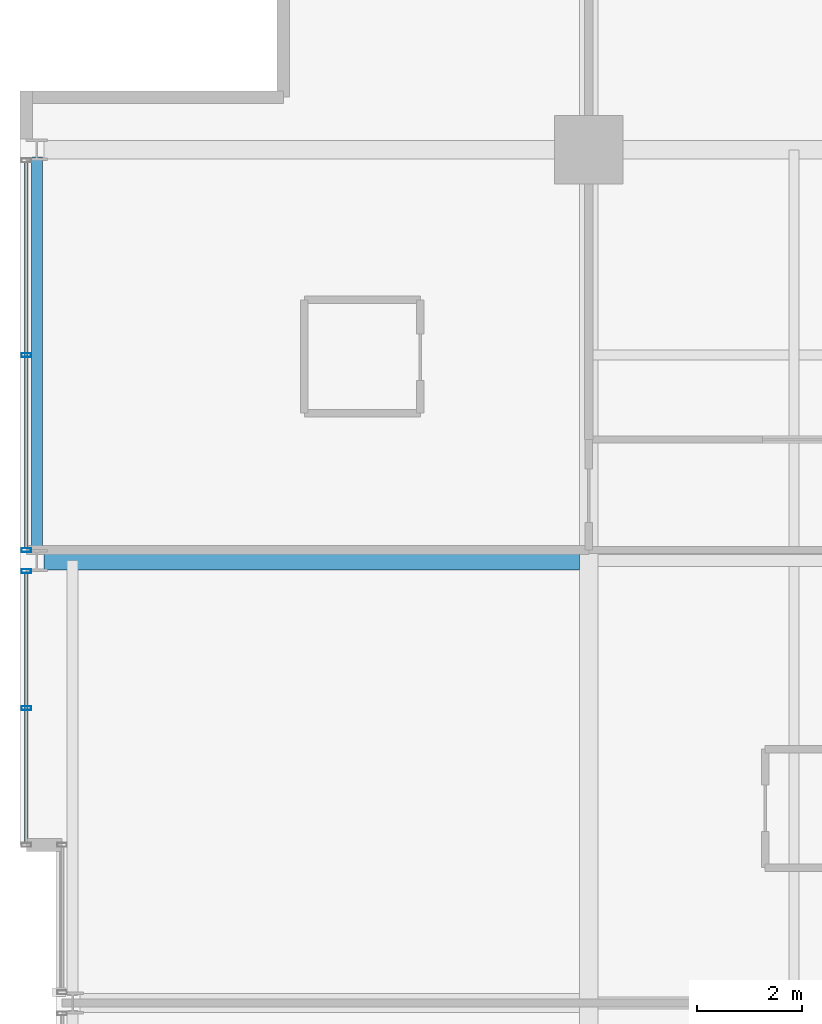
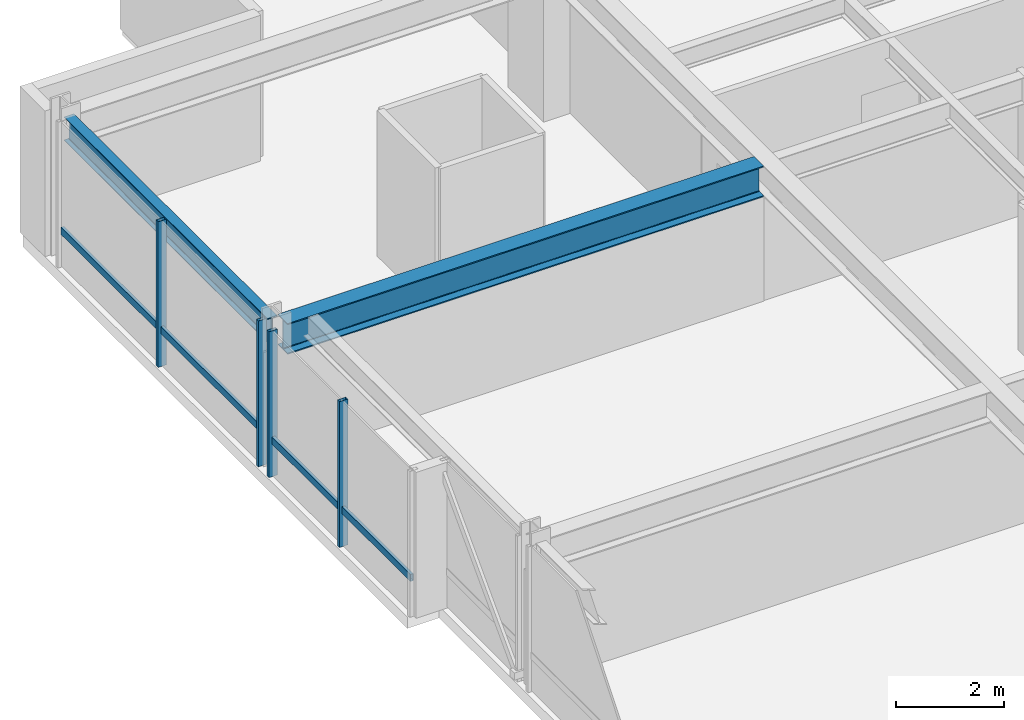
# One storey, part 17 of 34: 6 members, 2 beams, 2 elements without a shape of their own.
"""IFC4 building model written with IfcOpenShell, lengths in metres."""

from ifc_helpers import new_model, si_unit, direction, frame, origin, origin_2d, place, context, subcontext, project, spatial, hollow_rectangle, i_section, extrude, material, layer, layer_set, material_profile, profile_set, type_object, element, aggregate, save


model = new_model("IFC4")

# Units and contexts
model_context = context("Model", 3, precision=1e-05, world=origin(), true_north=direction((0.0, 1.0)))
body_context = subcontext(model_context, "Body", "Model", "MODEL_VIEW")
ifc_project = project(units=[si_unit("LENGTHUNIT", "METRE"), si_unit("AREAUNIT", "SQUARE_METRE"), si_unit("VOLUMEUNIT", "CUBIC_METRE"), si_unit("PLANEANGLEUNIT", "RADIAN"), si_unit("MASSUNIT", "GRAM", prefix="KILO")], contexts=[model_context])

# Site, building, storey
site_placement = place(None, origin())
site = spatial("IfcSite", under=ifc_project, at=site_placement, CompositionType="ELEMENT")
building_placement = place(site_placement, origin())
building = spatial("IfcBuilding", under=site, at=building_placement, Name="Drelvath Grand Hotel", CompositionType="ELEMENT")
storey_placement = place(building_placement, frame((0.0, 0.0, 175.25)))
storey = spatial("IfcBuildingStorey", under=building, at=storey_placement, Name="L45", CompositionType="ELEMENT", Elevation=175.25)

# Curtain wall, member
ifc_material_1 = material(Name="Brushed Pale-Silver Anodised Aluminium Frame", Category="aluminium")
ifc_layer = layer(ifc_material_1, 0.199951171875)
ifc_layer_set = layer_set([ifc_layer], Name="Brushed Pale-Silver Anodised Aluminium Frame")
curtain_wall_type = type_object("IfcCurtainWallType", Name="Stick Curtain Wall CW-04 Brushed Silver Upper-Mid", PredefinedType="NOTDEFINED", material=ifc_layer_set)
curtain_wall_1_placement = place(storey_placement, origin())
curtain_wall_1 = element("IfcCurtainWall", 1, at=curtain_wall_1_placement, inside=storey, type_object=curtain_wall_type, Name="L45 CW-04 Curtain Wall CW04-L45-WN1", PredefinedType="NOTDEFINED")
ifc_material_profile_1 = material_profile(ifc_material_1, hollow_rectangle(XDim=0.06494140625, YDim=0.159912109375, WallThickness=0.00390625, at=origin_2d()), Name="HSS160X65X4")
ifc_profile_set_1 = profile_set([ifc_material_profile_1], Name="Brushed Pale-Silver Anodised Aluminium Frame")
member_type_1 = type_object("IfcMemberType", Name="Curtain Wall Horizontal Transom CW-04 HSS160X65X4", PredefinedType="USERDEFINED", material=ifc_profile_set_1)
member_1_placement = place(storey_placement, frame((-26.8798828125, 30.0400390625, 0.822509765625), z_axis=(0.0, 1.0, 0.0), x_axis=(-1.0, 0.0, 0.0)))
member_1 = element("IfcMember", 2, at=member_1_placement, type_object=member_type_1, Name="CW04-L45-WN1 Sill Transom", ObjectType="TRANSOM", PredefinedType="USERDEFINED", context=body_context, shape_type="SweptSolid", body=[
    extrude(hollow_rectangle(XDim=0.06494140625, YDim=0.159912109375, WallThickness=0.00390625, at=origin_2d()), origin(), (0.0, 0.0, 1.0), 5.119873046875),
])

curtain_wall_2_placement = place(storey_placement, origin())
curtain_wall_2 = element("IfcCurtainWall", 3, at=curtain_wall_2_placement, inside=storey, type_object=curtain_wall_type, Name="L45 CW-04 Curtain Wall CW04-L45-WN2", PredefinedType="NOTDEFINED")
member_2_placement = place(storey_placement, frame((-26.8798828125, 35.639892578125, 0.822509765625), z_axis=(0.0, 1.0, 0.0), x_axis=(-1.0, 0.0, 0.0)))
member_2 = element("IfcMember", 4, at=member_2_placement, type_object=member_type_1, Name="CW04-L45-WN2 Sill Transom", ObjectType="TRANSOM", PredefinedType="USERDEFINED", context=body_context, shape_type="SweptSolid", body=[
    extrude(hollow_rectangle(XDim=0.06494140625, YDim=0.159912109375, WallThickness=0.00390625, at=origin_2d()), origin(), (0.0, 0.0, 1.0), 7.320068359375),
])

# Member
ifc_material_profile_2 = material_profile(ifc_material_1, hollow_rectangle(XDim=0.074951171875, YDim=0.179931640625, WallThickness=0.0048828125, at=origin_2d()), Name="HSS180X75X5")
ifc_profile_set_2 = profile_set([ifc_material_profile_2], Name="Brushed Pale-Silver Anodised Aluminium Frame")
member_type_2 = type_object("IfcMemberType", Name="Curtain Wall Vertical Mullion CW-04 HSS180X75X5", PredefinedType="MULLION", material=ifc_profile_set_2)
member_3_placement = place(storey_placement, frame((-26.8798828125, 32.60009765625, 0.0), z_axis=(0.0, 0.0, 1.0), x_axis=(0.0, 1.0, 0.0)))
member_3 = element("IfcMember", 5, at=member_3_placement, type_object=member_type_2, Name="CW04-L45-WN1 Mullion 2", PredefinedType="MULLION", context=body_context, shape_type="SweptSolid", body=[
    extrude(hollow_rectangle(XDim=0.074951171875, YDim=0.179931640625, WallThickness=0.0048828125, at=origin_2d()), origin(), (0.0, 0.0, 1.0), 3.2900390625),
])

member_4_placement = place(storey_placement, frame((-26.8798828125, 35.199951171875, 0.0), z_axis=(0.0, 0.0, 1.0), x_axis=(0.0, 1.0, 0.0)))
member_4 = element("IfcMember", 6, at=member_4_placement, type_object=member_type_2, Name="CW04-L45-WN1 Mullion 3", PredefinedType="MULLION", context=body_context, shape_type="SweptSolid", body=[
    extrude(hollow_rectangle(XDim=0.074951171875, YDim=0.179931640625, WallThickness=0.0048828125, at=origin_2d()), origin(), (0.0, 0.0, 1.0), 3.2900390625),
])

aggregate(curtain_wall_1, [member_3, member_4, member_1])

member_5_placement = place(storey_placement, frame((-26.8798828125, 35.60009765625, 0.0), z_axis=(0.0, 0.0, 1.0), x_axis=(0.0, 1.0, 0.0)))
member_5 = element("IfcMember", 7, at=member_5_placement, type_object=member_type_2, Name="CW04-L45-WN2 Mullion 1", PredefinedType="MULLION", context=body_context, shape_type="SweptSolid", body=[
    extrude(hollow_rectangle(XDim=0.074951171875, YDim=0.179931640625, WallThickness=0.0048828125, at=origin_2d()), origin(), (0.0, 0.0, 1.0), 3.2900390625),
])

member_6_placement = place(storey_placement, frame((-26.8798828125, 39.300048828125, 0.0), z_axis=(0.0, 0.0, 1.0), x_axis=(0.0, 1.0, 0.0)))
member_6 = element("IfcMember", 8, at=member_6_placement, type_object=member_type_2, Name="CW04-L45-WN2 Mullion 2", PredefinedType="MULLION", context=body_context, shape_type="SweptSolid", body=[
    extrude(hollow_rectangle(XDim=0.074951171875, YDim=0.179931640625, WallThickness=0.0048828125, at=origin_2d()), origin(), (0.0, 0.0, 1.0), 3.2900390625),
])

aggregate(curtain_wall_2, [member_5, member_6, member_2])

# Beams
ifc_material_2 = material(Name="Steel ASTM A992 Gr 50", Category="steel")
ifc_material_profile_3 = material_profile(ifc_material_2, i_section(OverallWidth=0.210205078125, OverallDepth=0.53662109375, WebThickness=0.010986328125, FlangeThickness=0.017333984375, FilletRadius=0.01806640625, at=origin_2d()), Name="W21X68")
ifc_profile_set_3 = profile_set([ifc_material_profile_3], Name="Steel ASTM A992 Gr 50")
beam_type_1 = type_object("IfcBeamType", Name="Perimeter Spandrel Beam W21X68", PredefinedType="SPANDREL", material=ifc_profile_set_3)
beam_1_placement = place(storey_placement, frame((-26.679931640625, 35.5400390625, 3.021484375), z_axis=(0.0, 1.0, 0.0), x_axis=(-1.0, 0.0, 0.0)))
element("IfcBeam", 9, at=beam_1_placement, inside=storey, type_object=beam_type_1, Name="L45 Spandrel West N", PredefinedType="SPANDREL", context=body_context, shape_type="SweptSolid", body=[
    extrude(i_section(OverallWidth=0.210205078125, OverallDepth=0.53662109375, WebThickness=0.010986328125, FlangeThickness=0.017333984375, FilletRadius=0.01806640625, at=origin_2d()), origin(), (0.0, 0.0, 1.0), 7.52001953125),
])
ifc_material_profile_4 = material_profile(ifc_material_2, i_section(OverallWidth=0.354736328125, OverallDepth=0.695556640625, WebThickness=0.015380859375, FlangeThickness=0.025146484375, FilletRadius=0.02392578125, at=origin_2d()), Name="W27X146")
ifc_profile_set_4 = profile_set([ifc_material_profile_4], Name="Steel ASTM A992 Gr 50")
beam_type_2 = type_object("IfcBeamType", Name="Primary Floor Girder W27X146", PredefinedType="BEAM", material=ifc_profile_set_4)
beam_2_placement = place(storey_placement, frame((-26.5400390625, 35.39990234375, 2.9423828125), z_axis=(1.0, 0.0, 0.0), x_axis=(0.0, 1.0, 0.0)))
element("IfcBeam", 10, at=beam_2_placement, inside=storey, type_object=beam_type_2, Name="L45 West Wing Girder F", PredefinedType="BEAM", context=body_context, shape_type="SweptSolid", body=[
    extrude(i_section(OverallWidth=0.354736328125, OverallDepth=0.695556640625, WebThickness=0.015380859375, FlangeThickness=0.025146484375, FilletRadius=0.02392578125, at=origin_2d()), origin(), (0.0, 0.0, 1.0), 10.16259765625),
])

save(model, "model.ifc")
